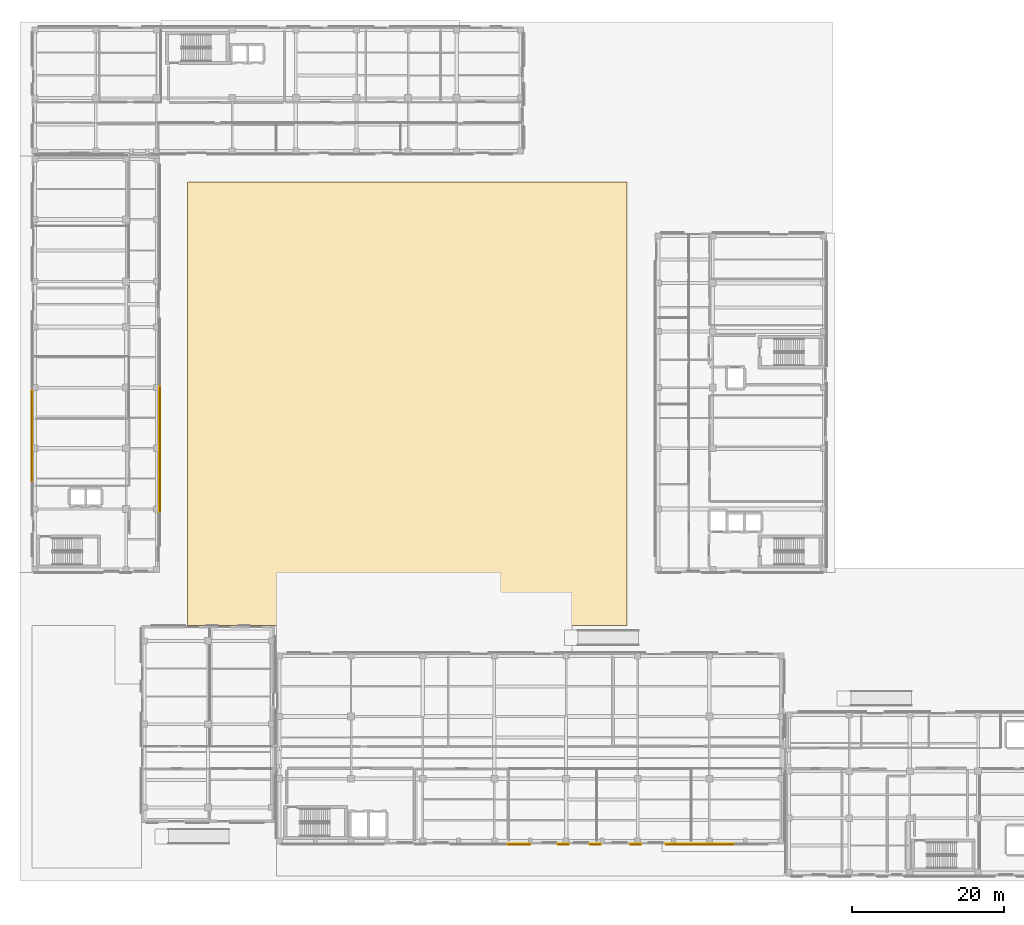
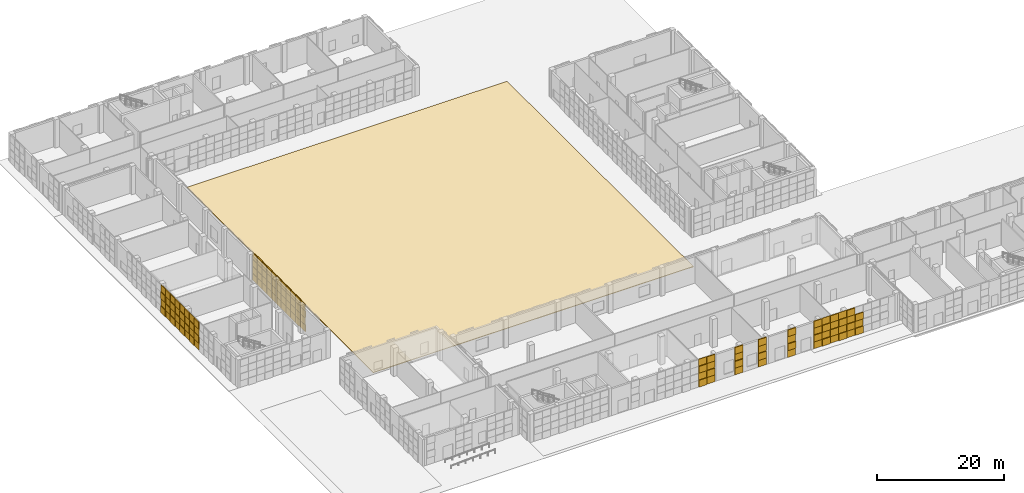
# One storey, part 25 of 40: 120 coverings.
"""IFC4 building model written with IfcOpenShell, lengths in metres."""

from ifc_helpers import new_model, si_unit, direction, frame, origin, origin_2d, place, context, subcontext, project, spatial, polyline, rectangle, outline, extrude, material, layer, layer_set, type_object, element, save


model = new_model("IFC4")

# Units and contexts
model_context = context("Model", 3, precision=1e-05, world=origin(), true_north=direction((0.0, 1.0)))
body_context = subcontext(model_context, "Body", "Model", "MODEL_VIEW")
ifc_project = project(units=[si_unit("LENGTHUNIT", "METRE"), si_unit("AREAUNIT", "SQUARE_METRE"), si_unit("VOLUMEUNIT", "CUBIC_METRE"), si_unit("PLANEANGLEUNIT", "RADIAN"), si_unit("MASSUNIT", "GRAM", prefix="KILO")], contexts=[model_context])

# Site, building, storey
site_placement = place(None, origin())
site = spatial("IfcSite", under=ifc_project, at=site_placement, CompositionType="ELEMENT")
building_placement = place(site_placement, origin())
building = spatial("IfcBuilding", under=site, at=building_placement, Name="Qalavern Law Courts", CompositionType="ELEMENT")
storey_placement = place(building_placement, origin())
storey = spatial("IfcBuildingStorey", under=building, at=storey_placement, Name="L00", CompositionType="ELEMENT", Elevation=0.0)

# Coverings
ifc_material = material(Name="Precast concrete C40/50", Category="concrete")
ifc_layer_1 = layer(ifc_material, 0.06005859375)
ifc_layer_set_1 = layer_set([ifc_layer_1], Name="Precast concrete C40/50")
covering_type_1 = type_object("IfcCoveringType", Name="ENV-CLD-1", PredefinedType="CLADDING", material=ifc_layer_set_1)
for number, where, z_axis, x_axis, name in (
    (1, (65.465087890625, 5.1201171875, 2.719970703125), (0.0, 0.0, 1.0), (1.0, 0.0, 0.0), "Cast drop-relief street-base tile 0215"),
    (2, (66.965087890625, 5.1201171875, 1.385009765625), (0.0, 0.0, 1.0), (1.0, 0.0, 0.0), "Cast drop-relief street-base tile 0218"),
    (3, (72.054931640625, 5.1201171875, 1.385009765625), (0.0, 0.0, 1.0), (1.0, 0.0, 0.0), "Cast drop-relief street-base tile 0222"),
    (4, (76.280029296875, 5.1201171875, 1.385009765625), (0.0, 0.0, 1.0), (1.0, 0.0, 0.0), "Cast drop-relief street-base tile 0226"),
    (5, (81.60498046875, 5.1201171875, 1.385009765625), (0.0, 0.0, 1.0), (1.0, 0.0, 0.0), "Cast drop-relief street-base tile 0230"),
    (6, (86.3349609375, 5.1201171875, 1.385009765625), (0.0, 0.0, 1.0), (1.0, 0.0, 0.0), "Cast drop-relief street-base tile 0234"),
    (7, (87.8349609375, 5.1201171875, 0.050048828125), (0.0, 0.0, 1.0), (1.0, 0.0, 0.0), "Cast drop-relief street-base tile 0237"),
):
    element("IfcCovering", number, at=place(storey_placement, frame(where, z_axis=z_axis, x_axis=x_axis)), inside=storey, type_object=covering_type_1, Name=name, PredefinedType="CLADDING", context=body_context, shape_type="SweptSolid", body=[
        extrude(rectangle(XDim=1.449951171875, YDim=0.16796875, at=origin_2d()), origin(), (0.0, 0.0, 1.0), 1.294921875),
    ])
for number, where, z_axis, x_axis, name in (
    (8, (87.8349609375, 5.162109375, 4.054931640625), (0.0, 0.0, 1.0), (1.0, 0.0, 0.0), "Cast drop-relief street-base tile 0240"),
    (9, (89.3349609375, 5.162109375, 2.719970703125), (0.0, 0.0, 1.0), (1.0, 0.0, 0.0), "Cast drop-relief street-base tile 0243"),
    (10, (90.8349609375, 5.162109375, 1.385009765625), (0.0, 0.0, 1.0), (1.0, 0.0, 0.0), "Cast drop-relief street-base tile 0246"),
    (11, (92.3349609375, 5.162109375, 0.050048828125), (0.0, 0.0, 1.0), (1.0, 0.0, 0.0), "Cast drop-relief street-base tile 0249"),
):
    element("IfcCovering", number, at=place(storey_placement, frame(where, z_axis=z_axis, x_axis=x_axis)), inside=storey, type_object=covering_type_1, Name=name, PredefinedType="CLADDING", context=body_context, shape_type="SweptSolid", body=[
        extrude(rectangle(XDim=1.449951171875, YDim=0.083984375, at=origin_2d()), origin(), (0.0, 0.0, 1.0), 1.294921875),
    ])
for number, where, z_axis, x_axis, name in (
    (12, (92.3349609375, 5.1201171875, 4.054931640625), (0.0, 0.0, 1.0), (1.0, 0.0, 0.0), "Cast drop-relief street-base tile 0252"),
    (13, (93.8349609375, 5.1201171875, 2.719970703125), (0.0, 0.0, 1.0), (1.0, 0.0, 0.0), "Cast drop-relief street-base tile 0255"),
):
    element("IfcCovering", number, at=place(storey_placement, frame(where, z_axis=z_axis, x_axis=x_axis)), inside=storey, type_object=covering_type_1, Name=name, PredefinedType="CLADDING", context=body_context, shape_type="SweptSolid", body=[
        extrude(rectangle(XDim=1.449951171875, YDim=0.16796875, at=origin_2d()), origin(), (0.0, 0.0, 1.0), 1.294921875),
    ])
for number, where, z_axis, x_axis, name in (
    (14, (18.837890625, 49.780029296875, 1.385009765625), (0.0, 0.0, 1.0), (0.0, 1.0, 0.0), "Cast drop-relief street-base tile 0522"),
    (15, (18.837890625, 51.280029296875, 0.050048828125), (0.0, 0.0, 1.0), (0.0, 1.0, 0.0), "Cast drop-relief street-base tile 0525"),
):
    element("IfcCovering", number, at=place(storey_placement, frame(where, z_axis=z_axis, x_axis=x_axis)), inside=storey, type_object=covering_type_1, Name=name, PredefinedType="CLADDING", context=body_context, shape_type="SweptSolid", body=[
        extrude(rectangle(XDim=1.449951171875, YDim=0.083984375, at=origin_2d()), origin(), (0.0, 0.0, 1.0), 1.294921875),
    ])
for number, where, z_axis, x_axis, name in (
    (16, (18.8798828125, 51.280029296875, 4.054931640625), (0.0, 0.0, 1.0), (0.0, 1.0, 0.0), "Cast drop-relief street-base tile 0528"),
    (17, (18.8798828125, 52.780029296875, 2.719970703125), (0.0, 0.0, 1.0), (0.0, 1.0, 0.0), "Cast drop-relief street-base tile 0531"),
    (18, (18.8798828125, 54.280029296875, 1.385009765625), (0.0, 0.0, 1.0), (0.0, 1.0, 0.0), "Cast drop-relief street-base tile 0534"),
    (19, (18.8798828125, 55.780029296875, 0.050048828125), (0.0, 0.0, 1.0), (0.0, 1.0, 0.0), "Cast drop-relief street-base tile 0537"),
):
    element("IfcCovering", number, at=place(storey_placement, frame(where, z_axis=z_axis, x_axis=x_axis)), inside=storey, type_object=covering_type_1, Name=name, PredefinedType="CLADDING", context=body_context, shape_type="SweptSolid", body=[
        extrude(rectangle(XDim=1.449951171875, YDim=0.16796875, at=origin_2d()), origin(), (0.0, 0.0, 1.0), 1.294921875),
    ])
for number, where, z_axis, x_axis, name in (
    (20, (18.837890625, 55.780029296875, 4.054931640625), (0.0, 0.0, 1.0), (0.0, 1.0, 0.0), "Cast drop-relief street-base tile 0540"),
    (21, (18.837890625, 57.280029296875, 2.719970703125), (0.0, 0.0, 1.0), (0.0, 1.0, 0.0), "Cast drop-relief street-base tile 0543"),
    (22, (18.837890625, 58.780029296875, 1.385009765625), (0.0, 0.0, 1.0), (0.0, 1.0, 0.0), "Cast drop-relief street-base tile 0546"),
    (23, (18.837890625, 60.280029296875, 0.050048828125), (0.0, 0.0, 1.0), (0.0, 1.0, 0.0), "Cast drop-relief street-base tile 0549"),
):
    element("IfcCovering", number, at=place(storey_placement, frame(where, z_axis=z_axis, x_axis=x_axis)), inside=storey, type_object=covering_type_1, Name=name, PredefinedType="CLADDING", context=body_context, shape_type="SweptSolid", body=[
        extrude(rectangle(XDim=1.449951171875, YDim=0.083984375, at=origin_2d()), origin(), (0.0, 0.0, 1.0), 1.294921875),
    ])
for number, where, z_axis, x_axis, name in (
    (24, (18.8798828125, 60.280029296875, 4.054931640625), (0.0, 0.0, 1.0), (0.0, 1.0, 0.0), "Cast drop-relief street-base tile 0552"),
    (25, (18.8798828125, 61.780029296875, 2.719970703125), (0.0, 0.0, 1.0), (0.0, 1.0, 0.0), "Cast drop-relief street-base tile 0555"),
    (26, (18.8798828125, 63.280029296875, 1.385009765625), (0.0, 0.0, 1.0), (0.0, 1.0, 0.0), "Cast drop-relief street-base tile 0558"),
    (27, (18.8798828125, 64.780029296875, 0.050048828125), (0.0, 0.0, 1.0), (0.0, 1.0, 0.0), "Cast drop-relief street-base tile 0561"),
):
    element("IfcCovering", number, at=place(storey_placement, frame(where, z_axis=z_axis, x_axis=x_axis)), inside=storey, type_object=covering_type_1, Name=name, PredefinedType="CLADDING", context=body_context, shape_type="SweptSolid", body=[
        extrude(rectangle(XDim=1.449951171875, YDim=0.16796875, at=origin_2d()), origin(), (0.0, 0.0, 1.0), 1.294921875),
    ])
covering_1_placement = place(storey_placement, frame((18.837890625, 64.780029296875, 4.054931640625), z_axis=(0.0, 0.0, 1.0), x_axis=(0.0, 1.0, 0.0)))
element("IfcCovering", 28, at=covering_1_placement, inside=storey, type_object=covering_type_1, Name="Cast drop-relief street-base tile 0564", PredefinedType="CLADDING", context=body_context, shape_type="SweptSolid", body=[
    extrude(rectangle(XDim=1.449951171875, YDim=0.083984375, at=origin_2d()), origin(), (0.0, 0.0, 1.0), 1.294921875),
])
covering_2_placement = place(storey_placement, frame((1.919921875, 64.2451171875, 0.050048828125), z_axis=(0.0, 0.0, 1.0), x_axis=(0.0, -1.0, 0.0)))
element("IfcCovering", 29, at=covering_2_placement, inside=storey, type_object=covering_type_1, Name="Cast drop-relief street-base tile 0721", PredefinedType="CLADDING", context=body_context, shape_type="SweptSolid", body=[
    extrude(rectangle(XDim=1.449951171875, YDim=0.16796875, at=origin_2d()), origin(), (0.0, 0.0, 1.0), 1.294921875),
])
for number, where, z_axis, x_axis, name in (
    (30, (1.9619140625, 64.2451171875, 4.054931640625), (0.0, 0.0, 1.0), (0.0, -1.0, 0.0), "Cast drop-relief street-base tile 0724"),
    (31, (1.9619140625, 62.7451171875, 2.719970703125), (0.0, 0.0, 1.0), (0.0, -1.0, 0.0), "Cast drop-relief street-base tile 0727"),
    (32, (1.9619140625, 61.2451171875, 1.385009765625), (0.0, 0.0, 1.0), (0.0, -1.0, 0.0), "Cast drop-relief street-base tile 0730"),
    (33, (1.9619140625, 59.7451171875, 0.050048828125), (0.0, 0.0, 1.0), (0.0, -1.0, 0.0), "Cast drop-relief street-base tile 0733"),
):
    element("IfcCovering", number, at=place(storey_placement, frame(where, z_axis=z_axis, x_axis=x_axis)), inside=storey, type_object=covering_type_1, Name=name, PredefinedType="CLADDING", context=body_context, shape_type="SweptSolid", body=[
        extrude(rectangle(XDim=1.449951171875, YDim=0.083984375, at=origin_2d()), origin(), (0.0, 0.0, 1.0), 1.294921875),
    ])
for number, where, z_axis, x_axis, name in (
    (34, (1.919921875, 59.7451171875, 4.054931640625), (0.0, 0.0, 1.0), (0.0, -1.0, 0.0), "Cast drop-relief street-base tile 0736"),
    (35, (1.919921875, 58.2451171875, 2.719970703125), (0.0, 0.0, 1.0), (0.0, -1.0, 0.0), "Cast drop-relief street-base tile 0739"),
    (36, (1.919921875, 56.7451171875, 1.385009765625), (0.0, 0.0, 1.0), (0.0, -1.0, 0.0), "Cast drop-relief street-base tile 0742"),
    (37, (1.919921875, 55.2451171875, 0.050048828125), (0.0, 0.0, 1.0), (0.0, -1.0, 0.0), "Cast drop-relief street-base tile 0745"),
):
    element("IfcCovering", number, at=place(storey_placement, frame(where, z_axis=z_axis, x_axis=x_axis)), inside=storey, type_object=covering_type_1, Name=name, PredefinedType="CLADDING", context=body_context, shape_type="SweptSolid", body=[
        extrude(rectangle(XDim=1.449951171875, YDim=0.16796875, at=origin_2d()), origin(), (0.0, 0.0, 1.0), 1.294921875),
    ])
for number, where, z_axis, x_axis, name in (
    (38, (1.9619140625, 55.2451171875, 4.054931640625), (0.0, 0.0, 1.0), (0.0, -1.0, 0.0), "Cast drop-relief street-base tile 0748"),
    (39, (1.9619140625, 53.7451171875, 2.719970703125), (0.0, 0.0, 1.0), (0.0, -1.0, 0.0), "Cast drop-relief street-base tile 0751"),
):
    element("IfcCovering", number, at=place(storey_placement, frame(where, z_axis=z_axis, x_axis=x_axis)), inside=storey, type_object=covering_type_1, Name=name, PredefinedType="CLADDING", context=body_context, shape_type="SweptSolid", body=[
        extrude(rectangle(XDim=1.449951171875, YDim=0.083984375, at=origin_2d()), origin(), (0.0, 0.0, 1.0), 1.294921875),
    ])
ifc_layer_2 = layer(ifc_material, 0.072021484375)
ifc_layer_set_2 = layer_set([ifc_layer_2], Name="Precast concrete C40/50")
covering_type_2 = type_object("IfcCoveringType", Name="ENV-CLD-2", PredefinedType="CLADDING", material=ifc_layer_set_2)
covering_3_placement = place(storey_placement, frame((65.465087890625, 5.1201171875, 0.050048828125), z_axis=(0.0, 0.0, 1.0), x_axis=(1.0, 0.0, 0.0)))
element("IfcCovering", 40, at=covering_3_placement, inside=storey, type_object=covering_type_2, Name="Cast drop-relief street-base tile 0213", PredefinedType="CLADDING", context=body_context, shape_type="SweptSolid", body=[
    extrude(rectangle(XDim=1.449951171875, YDim=0.16796875, at=origin_2d()), origin(), (0.0, 0.0, 1.0), 1.294921875),
])
for number, where, z_axis, x_axis, name in (
    (41, (65.465087890625, 5.162109375, 4.054931640625), (0.0, 0.0, 1.0), (1.0, 0.0, 0.0), "Cast drop-relief street-base tile 0216"),
    (42, (66.965087890625, 5.162109375, 2.719970703125), (0.0, 0.0, 1.0), (1.0, 0.0, 0.0), "Cast drop-relief street-base tile 0219"),
    (43, (72.054931640625, 5.162109375, 2.719970703125), (0.0, 0.0, 1.0), (1.0, 0.0, 0.0), "Cast drop-relief street-base tile 0223"),
    (44, (76.280029296875, 5.162109375, 2.719970703125), (0.0, 0.0, 1.0), (1.0, 0.0, 0.0), "Cast drop-relief street-base tile 0227"),
    (45, (81.60498046875, 5.162109375, 2.719970703125), (0.0, 0.0, 1.0), (1.0, 0.0, 0.0), "Cast drop-relief street-base tile 0231"),
    (46, (86.3349609375, 5.162109375, 2.719970703125), (0.0, 0.0, 1.0), (1.0, 0.0, 0.0), "Cast drop-relief street-base tile 0235"),
    (47, (87.8349609375, 5.162109375, 1.385009765625), (0.0, 0.0, 1.0), (1.0, 0.0, 0.0), "Cast drop-relief street-base tile 0238"),
    (48, (89.3349609375, 5.162109375, 0.050048828125), (0.0, 0.0, 1.0), (1.0, 0.0, 0.0), "Cast drop-relief street-base tile 0241"),
):
    element("IfcCovering", number, at=place(storey_placement, frame(where, z_axis=z_axis, x_axis=x_axis)), inside=storey, type_object=covering_type_2, Name=name, PredefinedType="CLADDING", context=body_context, shape_type="SweptSolid", body=[
        extrude(rectangle(XDim=1.449951171875, YDim=0.083984375, at=origin_2d()), origin(), (0.0, 0.0, 1.0), 1.294921875),
    ])
for number, where, z_axis, x_axis, name in (
    (49, (89.3349609375, 5.1201171875, 4.054931640625), (0.0, 0.0, 1.0), (1.0, 0.0, 0.0), "Cast drop-relief street-base tile 0244"),
    (50, (90.8349609375, 5.1201171875, 2.719970703125), (0.0, 0.0, 1.0), (1.0, 0.0, 0.0), "Cast drop-relief street-base tile 0247"),
    (51, (92.3349609375, 5.1201171875, 1.385009765625), (0.0, 0.0, 1.0), (1.0, 0.0, 0.0), "Cast drop-relief street-base tile 0250"),
    (52, (93.8349609375, 5.1201171875, 0.050048828125), (0.0, 0.0, 1.0), (1.0, 0.0, 0.0), "Cast drop-relief street-base tile 0253"),
    (53, (18.8798828125, 49.780029296875, 2.719970703125), (0.0, 0.0, 1.0), (0.0, 1.0, 0.0), "Cast drop-relief street-base tile 0523"),
    (54, (18.8798828125, 51.280029296875, 1.385009765625), (0.0, 0.0, 1.0), (0.0, 1.0, 0.0), "Cast drop-relief street-base tile 0526"),
    (55, (18.8798828125, 52.780029296875, 0.050048828125), (0.0, 0.0, 1.0), (0.0, 1.0, 0.0), "Cast drop-relief street-base tile 0529"),
):
    element("IfcCovering", number, at=place(storey_placement, frame(where, z_axis=z_axis, x_axis=x_axis)), inside=storey, type_object=covering_type_2, Name=name, PredefinedType="CLADDING", context=body_context, shape_type="SweptSolid", body=[
        extrude(rectangle(XDim=1.449951171875, YDim=0.16796875, at=origin_2d()), origin(), (0.0, 0.0, 1.0), 1.294921875),
    ])
for number, where, z_axis, x_axis, name in (
    (56, (18.837890625, 52.780029296875, 4.054931640625), (0.0, 0.0, 1.0), (0.0, 1.0, 0.0), "Cast drop-relief street-base tile 0532"),
    (57, (18.837890625, 54.280029296875, 2.719970703125), (0.0, 0.0, 1.0), (0.0, 1.0, 0.0), "Cast drop-relief street-base tile 0535"),
    (58, (18.837890625, 55.780029296875, 1.385009765625), (0.0, 0.0, 1.0), (0.0, 1.0, 0.0), "Cast drop-relief street-base tile 0538"),
    (59, (18.837890625, 57.280029296875, 0.050048828125), (0.0, 0.0, 1.0), (0.0, 1.0, 0.0), "Cast drop-relief street-base tile 0541"),
):
    element("IfcCovering", number, at=place(storey_placement, frame(where, z_axis=z_axis, x_axis=x_axis)), inside=storey, type_object=covering_type_2, Name=name, PredefinedType="CLADDING", context=body_context, shape_type="SweptSolid", body=[
        extrude(rectangle(XDim=1.449951171875, YDim=0.083984375, at=origin_2d()), origin(), (0.0, 0.0, 1.0), 1.294921875),
    ])
for number, where, z_axis, x_axis, name in (
    (60, (18.8798828125, 57.280029296875, 4.054931640625), (0.0, 0.0, 1.0), (0.0, 1.0, 0.0), "Cast drop-relief street-base tile 0544"),
    (61, (18.8798828125, 58.780029296875, 2.719970703125), (0.0, 0.0, 1.0), (0.0, 1.0, 0.0), "Cast drop-relief street-base tile 0547"),
    (62, (18.8798828125, 60.280029296875, 1.385009765625), (0.0, 0.0, 1.0), (0.0, 1.0, 0.0), "Cast drop-relief street-base tile 0550"),
    (63, (18.8798828125, 61.780029296875, 0.050048828125), (0.0, 0.0, 1.0), (0.0, 1.0, 0.0), "Cast drop-relief street-base tile 0553"),
):
    element("IfcCovering", number, at=place(storey_placement, frame(where, z_axis=z_axis, x_axis=x_axis)), inside=storey, type_object=covering_type_2, Name=name, PredefinedType="CLADDING", context=body_context, shape_type="SweptSolid", body=[
        extrude(rectangle(XDim=1.449951171875, YDim=0.16796875, at=origin_2d()), origin(), (0.0, 0.0, 1.0), 1.294921875),
    ])
for number, where, z_axis, x_axis, name in (
    (64, (18.837890625, 61.780029296875, 4.054931640625), (0.0, 0.0, 1.0), (0.0, 1.0, 0.0), "Cast drop-relief street-base tile 0556"),
    (65, (18.837890625, 63.280029296875, 2.719970703125), (0.0, 0.0, 1.0), (0.0, 1.0, 0.0), "Cast drop-relief street-base tile 0559"),
    (66, (18.837890625, 64.780029296875, 1.385009765625), (0.0, 0.0, 1.0), (0.0, 1.0, 0.0), "Cast drop-relief street-base tile 0562"),
    (67, (1.9619140625, 64.2451171875, 1.385009765625), (0.0, 0.0, 1.0), (0.0, -1.0, 0.0), "Cast drop-relief street-base tile 0722"),
    (68, (1.9619140625, 62.7451171875, 0.050048828125), (0.0, 0.0, 1.0), (0.0, -1.0, 0.0), "Cast drop-relief street-base tile 0725"),
):
    element("IfcCovering", number, at=place(storey_placement, frame(where, z_axis=z_axis, x_axis=x_axis)), inside=storey, type_object=covering_type_2, Name=name, PredefinedType="CLADDING", context=body_context, shape_type="SweptSolid", body=[
        extrude(rectangle(XDim=1.449951171875, YDim=0.083984375, at=origin_2d()), origin(), (0.0, 0.0, 1.0), 1.294921875),
    ])
for number, where, z_axis, x_axis, name in (
    (69, (1.919921875, 62.7451171875, 4.054931640625), (0.0, 0.0, 1.0), (0.0, -1.0, 0.0), "Cast drop-relief street-base tile 0728"),
    (70, (1.919921875, 61.2451171875, 2.719970703125), (0.0, 0.0, 1.0), (0.0, -1.0, 0.0), "Cast drop-relief street-base tile 0731"),
    (71, (1.919921875, 59.7451171875, 1.385009765625), (0.0, 0.0, 1.0), (0.0, -1.0, 0.0), "Cast drop-relief street-base tile 0734"),
    (72, (1.919921875, 58.2451171875, 0.050048828125), (0.0, 0.0, 1.0), (0.0, -1.0, 0.0), "Cast drop-relief street-base tile 0737"),
):
    element("IfcCovering", number, at=place(storey_placement, frame(where, z_axis=z_axis, x_axis=x_axis)), inside=storey, type_object=covering_type_2, Name=name, PredefinedType="CLADDING", context=body_context, shape_type="SweptSolid", body=[
        extrude(rectangle(XDim=1.449951171875, YDim=0.16796875, at=origin_2d()), origin(), (0.0, 0.0, 1.0), 1.294921875),
    ])
for number, where, z_axis, x_axis, name in (
    (73, (1.9619140625, 58.2451171875, 4.054931640625), (0.0, 0.0, 1.0), (0.0, -1.0, 0.0), "Cast drop-relief street-base tile 0740"),
    (74, (1.9619140625, 56.7451171875, 2.719970703125), (0.0, 0.0, 1.0), (0.0, -1.0, 0.0), "Cast drop-relief street-base tile 0743"),
    (75, (1.9619140625, 55.2451171875, 1.385009765625), (0.0, 0.0, 1.0), (0.0, -1.0, 0.0), "Cast drop-relief street-base tile 0746"),
    (76, (1.9619140625, 53.7451171875, 0.050048828125), (0.0, 0.0, 1.0), (0.0, -1.0, 0.0), "Cast drop-relief street-base tile 0749"),
):
    element("IfcCovering", number, at=place(storey_placement, frame(where, z_axis=z_axis, x_axis=x_axis)), inside=storey, type_object=covering_type_2, Name=name, PredefinedType="CLADDING", context=body_context, shape_type="SweptSolid", body=[
        extrude(rectangle(XDim=1.449951171875, YDim=0.083984375, at=origin_2d()), origin(), (0.0, 0.0, 1.0), 1.294921875),
    ])
covering_4_placement = place(storey_placement, frame((1.919921875, 53.7451171875, 4.054931640625), z_axis=(0.0, 0.0, 1.0), x_axis=(0.0, -1.0, 0.0)))
element("IfcCovering", 77, at=covering_4_placement, inside=storey, type_object=covering_type_2, Name="Cast drop-relief street-base tile 0752", PredefinedType="CLADDING", context=body_context, shape_type="SweptSolid", body=[
    extrude(rectangle(XDim=1.449951171875, YDim=0.16796875, at=origin_2d()), origin(), (0.0, 0.0, 1.0), 1.294921875),
])
ifc_layer_3 = layer(ifc_material, 0.083984375)
ifc_layer_set_3 = layer_set([ifc_layer_3], Name="Precast concrete C40/50")
covering_type_3 = type_object("IfcCoveringType", Name="ENV-CLD-3", PredefinedType="CLADDING", material=ifc_layer_set_3)
for number, where, z_axis, x_axis, name in (
    (78, (65.465087890625, 5.162109375, 1.385009765625), (0.0, 0.0, 1.0), (1.0, 0.0, 0.0), "Cast drop-relief street-base tile 0214"),
    (79, (66.965087890625, 5.162109375, 0.050048828125), (0.0, 0.0, 1.0), (1.0, 0.0, 0.0), "Cast drop-relief street-base tile 0217"),
):
    element("IfcCovering", number, at=place(storey_placement, frame(where, z_axis=z_axis, x_axis=x_axis)), inside=storey, type_object=covering_type_3, Name=name, PredefinedType="CLADDING", context=body_context, shape_type="SweptSolid", body=[
        extrude(rectangle(XDim=1.449951171875, YDim=0.083984375, at=origin_2d()), origin(), (0.0, 0.0, 1.0), 1.294921875),
    ])
covering_5_placement = place(storey_placement, frame((66.965087890625, 5.1201171875, 4.054931640625), z_axis=(0.0, 0.0, 1.0), x_axis=(1.0, 0.0, 0.0)))
element("IfcCovering", 80, at=covering_5_placement, inside=storey, type_object=covering_type_3, Name="Cast drop-relief street-base tile 0220", PredefinedType="CLADDING", context=body_context, shape_type="SweptSolid", body=[
    extrude(rectangle(XDim=1.449951171875, YDim=0.16796875, at=origin_2d()), origin(), (0.0, 0.0, 1.0), 1.294921875),
])
covering_6_placement = place(storey_placement, frame((72.054931640625, 5.162109375, 0.050048828125), z_axis=(0.0, 0.0, 1.0), x_axis=(1.0, 0.0, 0.0)))
element("IfcCovering", 81, at=covering_6_placement, inside=storey, type_object=covering_type_3, Name="Cast drop-relief street-base tile 0221", PredefinedType="CLADDING", context=body_context, shape_type="SweptSolid", body=[
    extrude(rectangle(XDim=1.449951171875, YDim=0.083984375, at=origin_2d()), origin(), (0.0, 0.0, 1.0), 1.294921875),
])
covering_7_placement = place(storey_placement, frame((72.054931640625, 5.1201171875, 4.054931640625), z_axis=(0.0, 0.0, 1.0), x_axis=(1.0, 0.0, 0.0)))
element("IfcCovering", 82, at=covering_7_placement, inside=storey, type_object=covering_type_3, Name="Cast drop-relief street-base tile 0224", PredefinedType="CLADDING", context=body_context, shape_type="SweptSolid", body=[
    extrude(rectangle(XDim=1.449951171875, YDim=0.16796875, at=origin_2d()), origin(), (0.0, 0.0, 1.0), 1.294921875),
])
covering_8_placement = place(storey_placement, frame((76.280029296875, 5.162109375, 0.050048828125), z_axis=(0.0, 0.0, 1.0), x_axis=(1.0, 0.0, 0.0)))
element("IfcCovering", 83, at=covering_8_placement, inside=storey, type_object=covering_type_3, Name="Cast drop-relief street-base tile 0225", PredefinedType="CLADDING", context=body_context, shape_type="SweptSolid", body=[
    extrude(rectangle(XDim=1.449951171875, YDim=0.083984375, at=origin_2d()), origin(), (0.0, 0.0, 1.0), 1.294921875),
])
covering_9_placement = place(storey_placement, frame((76.280029296875, 5.1201171875, 4.054931640625), z_axis=(0.0, 0.0, 1.0), x_axis=(1.0, 0.0, 0.0)))
element("IfcCovering", 84, at=covering_9_placement, inside=storey, type_object=covering_type_3, Name="Cast drop-relief street-base tile 0228", PredefinedType="CLADDING", context=body_context, shape_type="SweptSolid", body=[
    extrude(rectangle(XDim=1.449951171875, YDim=0.16796875, at=origin_2d()), origin(), (0.0, 0.0, 1.0), 1.294921875),
])
covering_10_placement = place(storey_placement, frame((81.60498046875, 5.162109375, 0.050048828125), z_axis=(0.0, 0.0, 1.0), x_axis=(1.0, 0.0, 0.0)))
element("IfcCovering", 85, at=covering_10_placement, inside=storey, type_object=covering_type_3, Name="Cast drop-relief street-base tile 0229", PredefinedType="CLADDING", context=body_context, shape_type="SweptSolid", body=[
    extrude(rectangle(XDim=1.449951171875, YDim=0.083984375, at=origin_2d()), origin(), (0.0, 0.0, 1.0), 1.294921875),
])
covering_11_placement = place(storey_placement, frame((81.60498046875, 5.1201171875, 4.054931640625), z_axis=(0.0, 0.0, 1.0), x_axis=(1.0, 0.0, 0.0)))
element("IfcCovering", 86, at=covering_11_placement, inside=storey, type_object=covering_type_3, Name="Cast drop-relief street-base tile 0232", PredefinedType="CLADDING", context=body_context, shape_type="SweptSolid", body=[
    extrude(rectangle(XDim=1.449951171875, YDim=0.16796875, at=origin_2d()), origin(), (0.0, 0.0, 1.0), 1.294921875),
])
covering_12_placement = place(storey_placement, frame((86.3349609375, 5.162109375, 0.050048828125), z_axis=(0.0, 0.0, 1.0), x_axis=(1.0, 0.0, 0.0)))
element("IfcCovering", 87, at=covering_12_placement, inside=storey, type_object=covering_type_3, Name="Cast drop-relief street-base tile 0233", PredefinedType="CLADDING", context=body_context, shape_type="SweptSolid", body=[
    extrude(rectangle(XDim=1.449951171875, YDim=0.083984375, at=origin_2d()), origin(), (0.0, 0.0, 1.0), 1.294921875),
])
for number, where, z_axis, x_axis, name in (
    (88, (86.3349609375, 5.1201171875, 4.054931640625), (0.0, 0.0, 1.0), (1.0, 0.0, 0.0), "Cast drop-relief street-base tile 0236"),
    (89, (87.8349609375, 5.1201171875, 2.719970703125), (0.0, 0.0, 1.0), (1.0, 0.0, 0.0), "Cast drop-relief street-base tile 0239"),
    (90, (89.3349609375, 5.1201171875, 1.385009765625), (0.0, 0.0, 1.0), (1.0, 0.0, 0.0), "Cast drop-relief street-base tile 0242"),
    (91, (90.8349609375, 5.1201171875, 0.050048828125), (0.0, 0.0, 1.0), (1.0, 0.0, 0.0), "Cast drop-relief street-base tile 0245"),
):
    element("IfcCovering", number, at=place(storey_placement, frame(where, z_axis=z_axis, x_axis=x_axis)), inside=storey, type_object=covering_type_3, Name=name, PredefinedType="CLADDING", context=body_context, shape_type="SweptSolid", body=[
        extrude(rectangle(XDim=1.449951171875, YDim=0.16796875, at=origin_2d()), origin(), (0.0, 0.0, 1.0), 1.294921875),
    ])
for number, where, z_axis, x_axis, name in (
    (92, (90.8349609375, 5.162109375, 4.054931640625), (0.0, 0.0, 1.0), (1.0, 0.0, 0.0), "Cast drop-relief street-base tile 0248"),
    (93, (92.3349609375, 5.162109375, 2.719970703125), (0.0, 0.0, 1.0), (1.0, 0.0, 0.0), "Cast drop-relief street-base tile 0251"),
    (94, (93.8349609375, 5.162109375, 1.385009765625), (0.0, 0.0, 1.0), (1.0, 0.0, 0.0), "Cast drop-relief street-base tile 0254"),
):
    element("IfcCovering", number, at=place(storey_placement, frame(where, z_axis=z_axis, x_axis=x_axis)), inside=storey, type_object=covering_type_3, Name=name, PredefinedType="CLADDING", context=body_context, shape_type="SweptSolid", body=[
        extrude(rectangle(XDim=1.449951171875, YDim=0.083984375, at=origin_2d()), origin(), (0.0, 0.0, 1.0), 1.294921875),
    ])
covering_13_placement = place(storey_placement, frame((18.8798828125, 49.780029296875, 0.050048828125), z_axis=(0.0, 0.0, 1.0), x_axis=(0.0, 1.0, 0.0)))
element("IfcCovering", 95, at=covering_13_placement, inside=storey, type_object=covering_type_3, Name="Cast drop-relief street-base tile 0521", PredefinedType="CLADDING", context=body_context, shape_type="SweptSolid", body=[
    extrude(rectangle(XDim=1.449951171875, YDim=0.16796875, at=origin_2d()), origin(), (0.0, 0.0, 1.0), 1.294921875),
])
for number, where, z_axis, x_axis, name in (
    (96, (18.837890625, 49.780029296875, 4.054931640625), (0.0, 0.0, 1.0), (0.0, 1.0, 0.0), "Cast drop-relief street-base tile 0524"),
    (97, (18.837890625, 51.280029296875, 2.719970703125), (0.0, 0.0, 1.0), (0.0, 1.0, 0.0), "Cast drop-relief street-base tile 0527"),
    (98, (18.837890625, 52.780029296875, 1.385009765625), (0.0, 0.0, 1.0), (0.0, 1.0, 0.0), "Cast drop-relief street-base tile 0530"),
    (99, (18.837890625, 54.280029296875, 0.050048828125), (0.0, 0.0, 1.0), (0.0, 1.0, 0.0), "Cast drop-relief street-base tile 0533"),
):
    element("IfcCovering", number, at=place(storey_placement, frame(where, z_axis=z_axis, x_axis=x_axis)), inside=storey, type_object=covering_type_3, Name=name, PredefinedType="CLADDING", context=body_context, shape_type="SweptSolid", body=[
        extrude(rectangle(XDim=1.449951171875, YDim=0.083984375, at=origin_2d()), origin(), (0.0, 0.0, 1.0), 1.294921875),
    ])
for number, where, z_axis, x_axis, name in (
    (100, (18.8798828125, 54.280029296875, 4.054931640625), (0.0, 0.0, 1.0), (0.0, 1.0, 0.0), "Cast drop-relief street-base tile 0536"),
    (101, (18.8798828125, 55.780029296875, 2.719970703125), (0.0, 0.0, 1.0), (0.0, 1.0, 0.0), "Cast drop-relief street-base tile 0539"),
    (102, (18.8798828125, 57.280029296875, 1.385009765625), (0.0, 0.0, 1.0), (0.0, 1.0, 0.0), "Cast drop-relief street-base tile 0542"),
    (103, (18.8798828125, 58.780029296875, 0.050048828125), (0.0, 0.0, 1.0), (0.0, 1.0, 0.0), "Cast drop-relief street-base tile 0545"),
):
    element("IfcCovering", number, at=place(storey_placement, frame(where, z_axis=z_axis, x_axis=x_axis)), inside=storey, type_object=covering_type_3, Name=name, PredefinedType="CLADDING", context=body_context, shape_type="SweptSolid", body=[
        extrude(rectangle(XDim=1.449951171875, YDim=0.16796875, at=origin_2d()), origin(), (0.0, 0.0, 1.0), 1.294921875),
    ])
for number, where, z_axis, x_axis, name in (
    (104, (18.837890625, 58.780029296875, 4.054931640625), (0.0, 0.0, 1.0), (0.0, 1.0, 0.0), "Cast drop-relief street-base tile 0548"),
    (105, (18.837890625, 60.280029296875, 2.719970703125), (0.0, 0.0, 1.0), (0.0, 1.0, 0.0), "Cast drop-relief street-base tile 0551"),
    (106, (18.837890625, 61.780029296875, 1.385009765625), (0.0, 0.0, 1.0), (0.0, 1.0, 0.0), "Cast drop-relief street-base tile 0554"),
    (107, (18.837890625, 63.280029296875, 0.050048828125), (0.0, 0.0, 1.0), (0.0, 1.0, 0.0), "Cast drop-relief street-base tile 0557"),
):
    element("IfcCovering", number, at=place(storey_placement, frame(where, z_axis=z_axis, x_axis=x_axis)), inside=storey, type_object=covering_type_3, Name=name, PredefinedType="CLADDING", context=body_context, shape_type="SweptSolid", body=[
        extrude(rectangle(XDim=1.449951171875, YDim=0.083984375, at=origin_2d()), origin(), (0.0, 0.0, 1.0), 1.294921875),
    ])
for number, where, z_axis, x_axis, name in (
    (108, (18.8798828125, 63.280029296875, 4.054931640625), (0.0, 0.0, 1.0), (0.0, 1.0, 0.0), "Cast drop-relief street-base tile 0560"),
    (109, (18.8798828125, 64.780029296875, 2.719970703125), (0.0, 0.0, 1.0), (0.0, 1.0, 0.0), "Cast drop-relief street-base tile 0563"),
    (110, (1.919921875, 64.2451171875, 2.719970703125), (0.0, 0.0, 1.0), (0.0, -1.0, 0.0), "Cast drop-relief street-base tile 0723"),
    (111, (1.919921875, 62.7451171875, 1.385009765625), (0.0, 0.0, 1.0), (0.0, -1.0, 0.0), "Cast drop-relief street-base tile 0726"),
    (112, (1.919921875, 61.2451171875, 0.050048828125), (0.0, 0.0, 1.0), (0.0, -1.0, 0.0), "Cast drop-relief street-base tile 0729"),
):
    element("IfcCovering", number, at=place(storey_placement, frame(where, z_axis=z_axis, x_axis=x_axis)), inside=storey, type_object=covering_type_3, Name=name, PredefinedType="CLADDING", context=body_context, shape_type="SweptSolid", body=[
        extrude(rectangle(XDim=1.449951171875, YDim=0.16796875, at=origin_2d()), origin(), (0.0, 0.0, 1.0), 1.294921875),
    ])
for number, where, z_axis, x_axis, name in (
    (113, (1.9619140625, 61.2451171875, 4.054931640625), (0.0, 0.0, 1.0), (0.0, -1.0, 0.0), "Cast drop-relief street-base tile 0732"),
    (114, (1.9619140625, 59.7451171875, 2.719970703125), (0.0, 0.0, 1.0), (0.0, -1.0, 0.0), "Cast drop-relief street-base tile 0735"),
    (115, (1.9619140625, 58.2451171875, 1.385009765625), (0.0, 0.0, 1.0), (0.0, -1.0, 0.0), "Cast drop-relief street-base tile 0738"),
    (116, (1.9619140625, 56.7451171875, 0.050048828125), (0.0, 0.0, 1.0), (0.0, -1.0, 0.0), "Cast drop-relief street-base tile 0741"),
):
    element("IfcCovering", number, at=place(storey_placement, frame(where, z_axis=z_axis, x_axis=x_axis)), inside=storey, type_object=covering_type_3, Name=name, PredefinedType="CLADDING", context=body_context, shape_type="SweptSolid", body=[
        extrude(rectangle(XDim=1.449951171875, YDim=0.083984375, at=origin_2d()), origin(), (0.0, 0.0, 1.0), 1.294921875),
    ])
for number, where, z_axis, x_axis, name in (
    (117, (1.919921875, 56.7451171875, 4.054931640625), (0.0, 0.0, 1.0), (0.0, -1.0, 0.0), "Cast drop-relief street-base tile 0744"),
    (118, (1.919921875, 55.2451171875, 2.719970703125), (0.0, 0.0, 1.0), (0.0, -1.0, 0.0), "Cast drop-relief street-base tile 0747"),
    (119, (1.919921875, 53.7451171875, 1.385009765625), (0.0, 0.0, 1.0), (0.0, -1.0, 0.0), "Cast drop-relief street-base tile 0750"),
):
    element("IfcCovering", number, at=place(storey_placement, frame(where, z_axis=z_axis, x_axis=x_axis)), inside=storey, type_object=covering_type_3, Name=name, PredefinedType="CLADDING", context=body_context, shape_type="SweptSolid", body=[
        extrude(rectangle(XDim=1.449951171875, YDim=0.16796875, at=origin_2d()), origin(), (0.0, 0.0, 1.0), 1.294921875),
    ])
ifc_layer_4 = layer(ifc_material, 0.110107421875)
ifc_layer_set_4 = layer_set([ifc_layer_4], Name="Precast concrete C40/50")
covering_type_4 = type_object("IfcCoveringType", Name="ENV-PAV-COURT", PredefinedType="USERDEFINED", material=ifc_layer_set_4)
covering_14_placement = place(storey_placement, origin())
element("IfcCovering", 120, at=covering_14_placement, inside=storey, type_object=covering_type_4, Name="Planted inner courtyard stone-kerbed garden parterre", ObjectType="PAVING", PredefinedType="USERDEFINED", context=body_context, shape_type="SweptSolid", body=[
    extrude(outline(polyline([(22.5, 34.0), (80.5, 34.0), (80.5, 92.5), (22.5, 92.5), (22.5, 34.0)])), origin(), (0.0, 0.0, 1.0), 0.110107421875),
])

save(model, "model.ifc")
